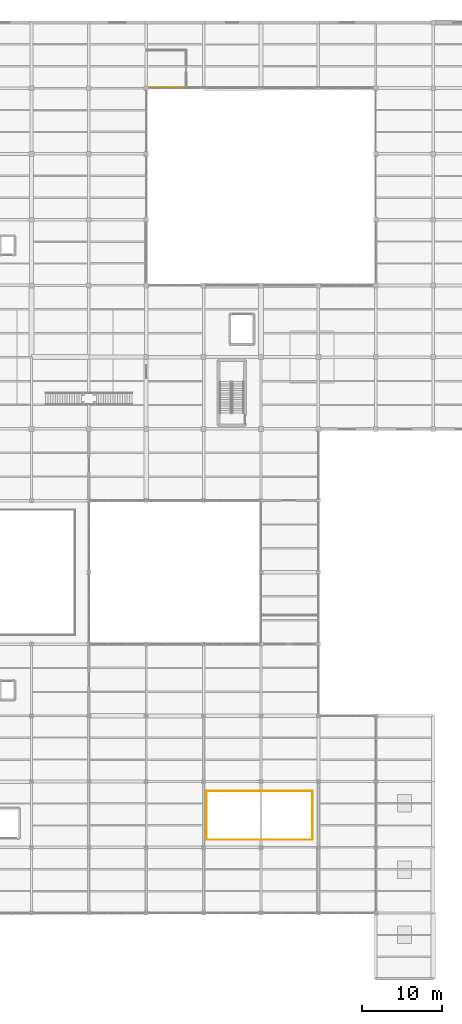
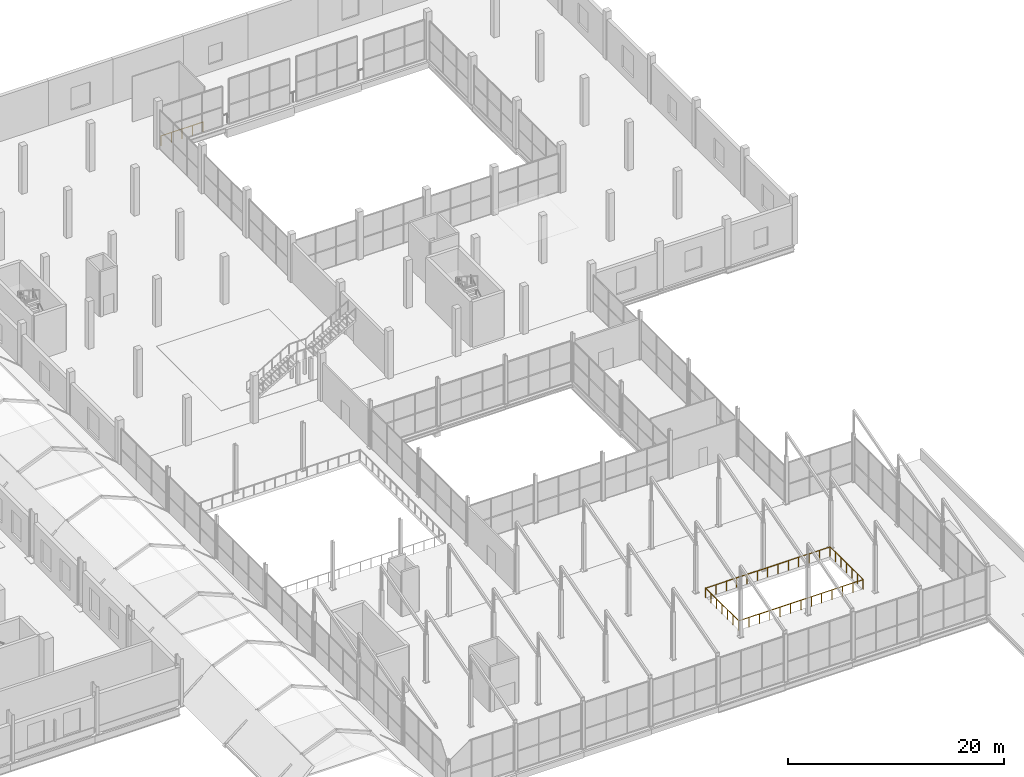
# One storey, part 139 of 141: 3 railings.
"""IFC4 building model written with IfcOpenShell, lengths in metres."""

import ifcopenshell
import ifcopenshell.guid

model = None  # the IFC model being written
_history = None  # IfcOwnerHistory: only IFC2X3 demands one
_inside = {}  # id of a spatial element -> (the spatial element, [elements in it])
_under = {}  # id of a project, library or spatial element -> (it, [spatial elements below it])
_declared = {}  # id of a project -> (the project, [libraries it declares])
_typed = {}  # id of a type object -> (the type object, [elements of that type])
_made_of = {}  # id of a material, layer set ... -> (it, [elements and type objects made of it])


def new_model(schema):
    """Start an empty IFC model of exactly this schema.

    Asked for "IFC4X3", IfcOpenShell would pick the latest addendum, in which some entities
    have other attributes; the version numbers below select the first issue.
    IFC2X3 requires an IfcOwnerHistory on every rooted entity: one is made here for all.
    """
    global model, _history
    if schema == "IFC4X3":
        model = ifcopenshell.file(schema_version=(4, 3, 0, 0))
    else:
        model = ifcopenshell.file(schema=schema)
    _inside.clear()
    _under.clear()
    _declared.clear()
    _typed.clear()
    _made_of.clear()
    _history = None
    if model.schema == "IFC2X3":
        org = make("IfcOrganization", Name="unknown")
        user = make(
            "IfcPersonAndOrganization",
            ThePerson=make("IfcPerson", FamilyName="unknown"),
            TheOrganization=org,
        )
        app = make(
            "IfcApplication",
            ApplicationDeveloper=org,
            Version="unknown",
            ApplicationFullName="unknown",
            ApplicationIdentifier="unknown",
        )
        _history = make(
            "IfcOwnerHistory",
            OwningUser=user,
            OwningApplication=app,
            ChangeAction="ADDED",
            CreationDate=0,
        )
    return model


def make(cls, **values):
    """One entity of the class cls with the attributes given. An attribute that is None is left unset."""
    return model.create_entity(
        cls, **{name: value for name, value in values.items() if value is not None}
    )


def rooted(cls, **values):
    """An entity with a GlobalId (a new one), such as an element, a storey or a relation."""
    return make(cls, GlobalId=ifcopenshell.guid.new(), OwnerHistory=_history, **values)


def si_unit(unit_type, name, prefix=None):
    """IfcSIUnit, for example si_unit("LENGTHUNIT", "METRE", prefix="MILLI")."""
    return make("IfcSIUnit", UnitType=unit_type, Prefix=prefix, Name=name)


def assignment(units):
    """IfcUnitAssignment: the units of a project."""
    return None if units is None else make("IfcUnitAssignment", Units=units)


def point(xyz):
    """IfcCartesianPoint."""
    return None if xyz is None else make("IfcCartesianPoint", Coordinates=xyz)


def direction(xyz):
    """IfcDirection."""
    return None if xyz is None else make("IfcDirection", DirectionRatios=xyz)


def frame(location, z_axis=None, x_axis=None):
    """IfcAxis2Placement3D, a coordinate frame: its origin and axes. An axis left out is left unset."""
    return make(
        "IfcAxis2Placement3D",
        Location=point(location),
        Axis=direction(z_axis),
        RefDirection=direction(x_axis),
    )


def frame_2d(location, x_axis=None):
    """IfcAxis2Placement2D, a coordinate frame in the plane: its origin and x axis."""
    return make(
        "IfcAxis2Placement2D", Location=point(location), RefDirection=direction(x_axis)
    )


def origin():
    """The frame at (0, 0, 0) with its axes left unset."""
    return frame((0.0, 0.0, 0.0))


def origin_2d():
    """The frame at (0, 0) in the plane with its x axis left unset."""
    return frame_2d((0.0, 0.0))


def place(relative_to, where):
    """IfcLocalPlacement: puts the frame where relative to a parent placement (None: the world)."""
    return make(
        "IfcLocalPlacement", PlacementRelTo=relative_to, RelativePlacement=where
    )


def context(
    kind, dimensions, precision=None, world=None, true_north=None, identifier=None
):
    """IfcGeometricRepresentationContext, for example the 3D "Model" context."""
    return make(
        "IfcGeometricRepresentationContext",
        ContextIdentifier=identifier,
        ContextType=kind,
        CoordinateSpaceDimension=dimensions,
        Precision=precision,
        WorldCoordinateSystem=world,
        TrueNorth=true_north,
    )


def subcontext(parent, identifier, kind, view, scale=None):
    """IfcGeometricRepresentationSubContext, for example "Body" below "Model"."""
    return make(
        "IfcGeometricRepresentationSubContext",
        ContextIdentifier=identifier,
        ContextType=kind,
        ParentContext=parent,
        TargetScale=scale,
        TargetView=view,
    )


def project(units=None, contexts=None):
    """IfcProject with its units and contexts."""
    return rooted(
        "IfcProject",
        Name="project",
        RepresentationContexts=contexts,
        UnitsInContext=assignment(units),
    )


def spatial(cls, under=None, at=None, **own):
    """A site, building, storey or space (cls), placed at a placement, below another one or the project."""
    s = rooted(cls, ObjectPlacement=at, **own)
    if under is not None:
        _under.setdefault(under.id(), (under, []))[1].append(s)
    return s


def profile(cls, at=None, kind="AREA", **sizes):
    """A parametric profile (cls). Its sizes go by their IFC names, for example OverallWidth=200.0."""
    return make(cls, ProfileType=kind, Position=at, **sizes)


def circle(**sizes):
    """IfcCircleProfileDef."""
    return profile("IfcCircleProfileDef", **sizes)


def extrude(swept, where, along, depth):
    """IfcExtrudedAreaSolid: the profile swept, set in the frame where, extruded along a direction by depth."""
    return make(
        "IfcExtrudedAreaSolid",
        SweptArea=swept,
        Position=where,
        ExtrudedDirection=direction(along),
        Depth=depth,
    )


def shape(context_of_items, identifier, shape_type, items):
    """IfcShapeRepresentation: the items that make up one representation, for example the "Body"."""
    return make(
        "IfcShapeRepresentation",
        ContextOfItems=context_of_items,
        RepresentationIdentifier=identifier,
        RepresentationType=shape_type,
        Items=items,
    )


def material(Name=None, Category=None):
    """IfcMaterial."""
    return make("IfcMaterial", Name=Name, Category=Category)


def made_of(thing, what):
    """Note that an element or type object is made of a material, layer set ...; save() writes the relation."""
    if what is not None:
        _made_of.setdefault(what.id(), (what, []))[1].append(thing)
    return thing


def type_object(cls, material=None, **own):
    """A type object (cls), such as IfcWallType, which elements share."""
    return made_of(rooted(cls, **own), material)


def element(
    cls,
    number,
    at=None,
    inside=None,
    cuts=None,
    type_object=None,
    material=None,
    context=None,
    identifier="Body",
    shape_type=None,
    held_by="IfcProductDefinitionShape",
    body=None,
    shapes=None,
    **own,
):
    """One element of the class cls, such as IfcWall. Its Tag is "e" and its number.

    at: its placement. inside: the storey or other place that contains it. cuts: it is an
    opening in that element (IfcRelVoidsElement). A single representation is given by context,
    identifier, shape_type and body (its items); several are given by shapes. held_by: the class
    of the entity that holds the representations. save() writes the other relations.
    """
    e = rooted(cls, Tag="e%d" % number, ObjectPlacement=at, **own)
    if body is not None:
        shapes = [shape(context, identifier, shape_type, body)]
    if shapes is not None:
        e.Representation = make(held_by, Representations=shapes)
    if inside is not None:
        _inside.setdefault(inside.id(), (inside, []))[1].append(e)
    if cuts is not None:
        rooted(
            "IfcRelVoidsElement", RelatingBuildingElement=cuts, RelatedOpeningElement=e
        )
    if type_object is not None:
        _typed.setdefault(type_object.id(), (type_object, []))[1].append(e)
    return made_of(e, material)


def aggregate(whole, parts):
    """IfcRelAggregates: a whole, such as a stair, and the parts it consists of."""
    return rooted("IfcRelAggregates", RelatingObject=whole, RelatedObjects=parts)


def save(model, path):
    """Write the relations noted so far, then the file.

    IfcRelAggregates (storeys below a building ...), IfcRelContainedInSpatialStructure (elements
    in a storey), IfcRelDefinesByType, IfcRelAssociatesMaterial and IfcRelDeclares: one each for
    every whole, place, type object, material and project.
    """
    for whole, parts in _under.values():
        aggregate(whole, parts)
    for where, things in _inside.values():
        rooted(
            "IfcRelContainedInSpatialStructure",
            RelatedElements=things,
            RelatingStructure=where,
        )
    for kind, things in _typed.values():
        rooted("IfcRelDefinesByType", RelatedObjects=things, RelatingType=kind)
    for what, things in _made_of.values():
        rooted("IfcRelAssociatesMaterial", RelatedObjects=things, RelatingMaterial=what)
    for by, libraries in _declared.values():
        rooted("IfcRelDeclares", RelatingContext=by, RelatedDefinitions=libraries)
    model.write(path)


model = new_model("IFC4")

# Units and contexts
model_context = context("Model", 3, precision=1e-05, world=origin(), true_north=direction((0.0, 1.0)))
body_context = subcontext(model_context, "Body", "Model", "MODEL_VIEW")
ifc_project = project(units=[si_unit("LENGTHUNIT", "METRE"), si_unit("AREAUNIT", "SQUARE_METRE"), si_unit("VOLUMEUNIT", "CUBIC_METRE"), si_unit("PLANEANGLEUNIT", "RADIAN"), si_unit("MASSUNIT", "GRAM", prefix="KILO")], contexts=[model_context])

# Site, building, storey
site_placement = place(None, origin())
site = spatial("IfcSite", under=ifc_project, at=site_placement, CompositionType="ELEMENT")
building_placement = place(site_placement, origin())
building = spatial("IfcBuilding", under=site, at=building_placement, Name="Sundgate Opera House", CompositionType="ELEMENT")
storey_placement = place(building_placement, frame((0.0, 0.0, 11.39990234375)))
storey = spatial("IfcBuildingStorey", under=building, at=storey_placement, Name="L02", CompositionType="ELEMENT", Elevation=11.39990234375)

# Railings
ifc_material_1 = material(Name="Patinated bronze forja metalwork", Category="steel")
railing_type_1 = type_object("IfcRailingType", Name="RL-FORJA-BAL-1100", PredefinedType="BALUSTRADE", material=ifc_material_1)
railing_1_placement = place(storey_placement, frame((124.550048828125, 111.830078125, 0.0)))
element("IfcRailing", 1, at=railing_1_placement, inside=storey, type_object=railing_type_1, Name="L02 Conservatory Court Edge Balustrade RL0004", PredefinedType="BALUSTRADE", context=body_context, shape_type="SweptSolid", body=[
    extrude(circle(Radius=0.02392578125, at=origin_2d()), frame((0.0, 0.0, 1.09619140625), z_axis=(1.0, 0.0, 0.0), x_axis=(0.0, 1.0, 0.0)), (0.0, 0.0, 1.0), 4.5),
    extrude(circle(Radius=0.02099609375, at=origin_2d()), origin(), (0.0, 0.0, 1.0), 1.072021484375),
    extrude(circle(Radius=0.02099609375, at=origin_2d()), frame((1.125, 0.0, 0.0)), (0.0, 0.0, 1.0), 1.072021484375),
    extrude(circle(Radius=0.02099609375, at=origin_2d()), frame((2.25, 0.0, 0.0)), (0.0, 0.0, 1.0), 1.072021484375),
    extrude(circle(Radius=0.02099609375, at=origin_2d()), frame((3.375, 0.0, 0.0)), (0.0, 0.0, 1.0), 1.072021484375),
    extrude(circle(Radius=0.02099609375, at=origin_2d()), frame((4.5, 0.0, 0.0)), (0.0, 0.0, 1.0), 1.072021484375),
])
ifc_material_2 = material(Name="Painted steel S275 guardrail", Category="steel")
railing_type_2 = type_object("IfcRailingType", Name="RL-STAIR-GUARD-1100", PredefinedType="GUARDRAIL", material=ifc_material_2)
railing_2_placement = place(storey_placement, frame((131.75, 17.449951171875, 0.0)))
element("IfcRailing", 2, at=railing_2_placement, inside=storey, type_object=railing_type_2, Name="L02 Interior Guardrail RL0296", PredefinedType="GUARDRAIL", context=body_context, shape_type="SweptSolid", body=[
    extrude(circle(Radius=0.02392578125, at=origin_2d()), frame((0.0, 0.0, 1.076171875), z_axis=(1.0, 0.0, 0.0), x_axis=(0.0, 1.0, 0.0)), (0.0, 0.0, 1.0), 13.300048828125),
    extrude(circle(Radius=0.02392578125, at=origin_2d()), frame((13.300048828125, 0.0, 1.076171875), z_axis=(0.0, 1.0, 0.0), x_axis=(-1.0, 0.0, 0.0)), (0.0, 0.0, 1.0), 6.10009765625),
    extrude(circle(Radius=0.02099609375, at=origin_2d()), origin(), (0.0, 0.0, 1.0), 1.052001953125),
    extrude(circle(Radius=0.02099609375, at=origin_2d()), frame((1.1083984375, 0.0, 0.0)), (0.0, 0.0, 1.0), 1.052001953125),
    extrude(circle(Radius=0.02099609375, at=origin_2d()), frame((2.216796875, 0.0, 0.0)), (0.0, 0.0, 1.0), 1.052001953125),
    extrude(circle(Radius=0.02099609375, at=origin_2d()), frame((3.324951171875, 0.0, 0.0)), (0.0, 0.0, 1.0), 1.052001953125),
    extrude(circle(Radius=0.02099609375, at=origin_2d()), frame((4.433349609375, 0.0, 0.0)), (0.0, 0.0, 1.0), 1.052001953125),
    extrude(circle(Radius=0.02099609375, at=origin_2d()), frame((5.541748046875, 0.0, 0.0)), (0.0, 0.0, 1.0), 1.052001953125),
    extrude(circle(Radius=0.02099609375, at=origin_2d()), frame((6.64990234375, 0.0, 0.0)), (0.0, 0.0, 1.0), 1.052001953125),
    extrude(circle(Radius=0.02099609375, at=origin_2d()), frame((7.75830078125, 0.0, 0.0)), (0.0, 0.0, 1.0), 1.052001953125),
    extrude(circle(Radius=0.02099609375, at=origin_2d()), frame((8.86669921875, 0.0, 0.0)), (0.0, 0.0, 1.0), 1.052001953125),
    extrude(circle(Radius=0.02099609375, at=origin_2d()), frame((9.97509765625, 0.0, 0.0)), (0.0, 0.0, 1.0), 1.052001953125),
    extrude(circle(Radius=0.02099609375, at=origin_2d()), frame((11.08349609375, 0.0, 0.0)), (0.0, 0.0, 1.0), 1.052001953125),
    extrude(circle(Radius=0.02099609375, at=origin_2d()), frame((12.191650390625, 0.0, 0.0)), (0.0, 0.0, 1.0), 1.052001953125),
    extrude(circle(Radius=0.02099609375, at=origin_2d()), frame((13.300048828125, 0.0, 0.0)), (0.0, 0.0, 1.0), 1.052001953125),
    extrude(circle(Radius=0.02099609375, at=origin_2d()), frame((13.300048828125, 1.0166015625, 0.0)), (0.0, 0.0, 1.0), 1.052001953125),
    extrude(circle(Radius=0.02099609375, at=origin_2d()), frame((13.300048828125, 2.033447265625, 0.0)), (0.0, 0.0, 1.0), 1.052001953125),
    extrude(circle(Radius=0.02099609375, at=origin_2d()), frame((13.300048828125, 3.050048828125, 0.0)), (0.0, 0.0, 1.0), 1.052001953125),
    extrude(circle(Radius=0.02099609375, at=origin_2d()), frame((13.300048828125, 4.066650390625, 0.0)), (0.0, 0.0, 1.0), 1.052001953125),
    extrude(circle(Radius=0.02099609375, at=origin_2d()), frame((13.300048828125, 5.08349609375, 0.0)), (0.0, 0.0, 1.0), 1.052001953125),
    extrude(circle(Radius=0.02099609375, at=origin_2d()), frame((13.300048828125, 6.10009765625, 0.0)), (0.0, 0.0, 1.0), 1.052001953125),
])
railing_3_placement = place(storey_placement, frame((145.0, 23.550048828125, 0.0)))
element("IfcRailing", 3, at=railing_3_placement, inside=storey, type_object=railing_type_2, Name="L02 Interior Guardrail RL0297", PredefinedType="GUARDRAIL", context=body_context, shape_type="SweptSolid", body=[
    extrude(circle(Radius=0.02392578125, at=origin_2d()), frame((0.0, 0.0, 1.076171875), z_axis=(-1.0, 0.0, 0.0), x_axis=(0.0, -1.0, 0.0)), (0.0, 0.0, 1.0), 13.25),
    extrude(circle(Radius=0.02392578125, at=origin_2d()), frame((-13.25, 0.0, 1.076171875), z_axis=(0.0, -1.0, 0.0), x_axis=(1.0, 0.0, 0.0)), (0.0, 0.0, 1.0), 6.050048828125),
    extrude(circle(Radius=0.02099609375, at=origin_2d()), origin(), (0.0, 0.0, 1.0), 1.052001953125),
    extrude(circle(Radius=0.02099609375, at=origin_2d()), frame((-1.104248046875, 0.0, 0.0)), (0.0, 0.0, 1.0), 1.052001953125),
    extrude(circle(Radius=0.02099609375, at=origin_2d()), frame((-2.208251953125, 0.0, 0.0)), (0.0, 0.0, 1.0), 1.052001953125),
    extrude(circle(Radius=0.02099609375, at=origin_2d()), frame((-3.3125, 0.0, 0.0)), (0.0, 0.0, 1.0), 1.052001953125),
    extrude(circle(Radius=0.02099609375, at=origin_2d()), frame((-4.416748046875, 0.0, 0.0)), (0.0, 0.0, 1.0), 1.052001953125),
    extrude(circle(Radius=0.02099609375, at=origin_2d()), frame((-5.520751953125, 0.0, 0.0)), (0.0, 0.0, 1.0), 1.052001953125),
    extrude(circle(Radius=0.02099609375, at=origin_2d()), frame((-6.625, 0.0, 0.0)), (0.0, 0.0, 1.0), 1.052001953125),
    extrude(circle(Radius=0.02099609375, at=origin_2d()), frame((-7.729248046875, 0.0, 0.0)), (0.0, 0.0, 1.0), 1.052001953125),
    extrude(circle(Radius=0.02099609375, at=origin_2d()), frame((-8.833251953125, 0.0, 0.0)), (0.0, 0.0, 1.0), 1.052001953125),
    extrude(circle(Radius=0.02099609375, at=origin_2d()), frame((-9.9375, 0.0, 0.0)), (0.0, 0.0, 1.0), 1.052001953125),
    extrude(circle(Radius=0.02099609375, at=origin_2d()), frame((-11.041748046875, 0.0, 0.0)), (0.0, 0.0, 1.0), 1.052001953125),
    extrude(circle(Radius=0.02099609375, at=origin_2d()), frame((-12.145751953125, 0.0, 0.0)), (0.0, 0.0, 1.0), 1.052001953125),
    extrude(circle(Radius=0.02099609375, at=origin_2d()), frame((-13.25, 0.0, 0.0)), (0.0, 0.0, 1.0), 1.052001953125),
    extrude(circle(Radius=0.02099609375, at=origin_2d()), frame((-13.25, -1.00830078125, 0.0)), (0.0, 0.0, 1.0), 1.052001953125),
    extrude(circle(Radius=0.02099609375, at=origin_2d()), frame((-13.25, -2.0166015625, 0.0)), (0.0, 0.0, 1.0), 1.052001953125),
    extrude(circle(Radius=0.02099609375, at=origin_2d()), frame((-13.25, -3.02490234375, 0.0)), (0.0, 0.0, 1.0), 1.052001953125),
    extrude(circle(Radius=0.02099609375, at=origin_2d()), frame((-13.25, -4.033447265625, 0.0)), (0.0, 0.0, 1.0), 1.052001953125),
    extrude(circle(Radius=0.02099609375, at=origin_2d()), frame((-13.25, -5.041748046875, 0.0)), (0.0, 0.0, 1.0), 1.052001953125),
    extrude(circle(Radius=0.02099609375, at=origin_2d()), frame((-13.25, -6.050048828125, 0.0)), (0.0, 0.0, 1.0), 1.052001953125),
])

save(model, "model.ifc")
